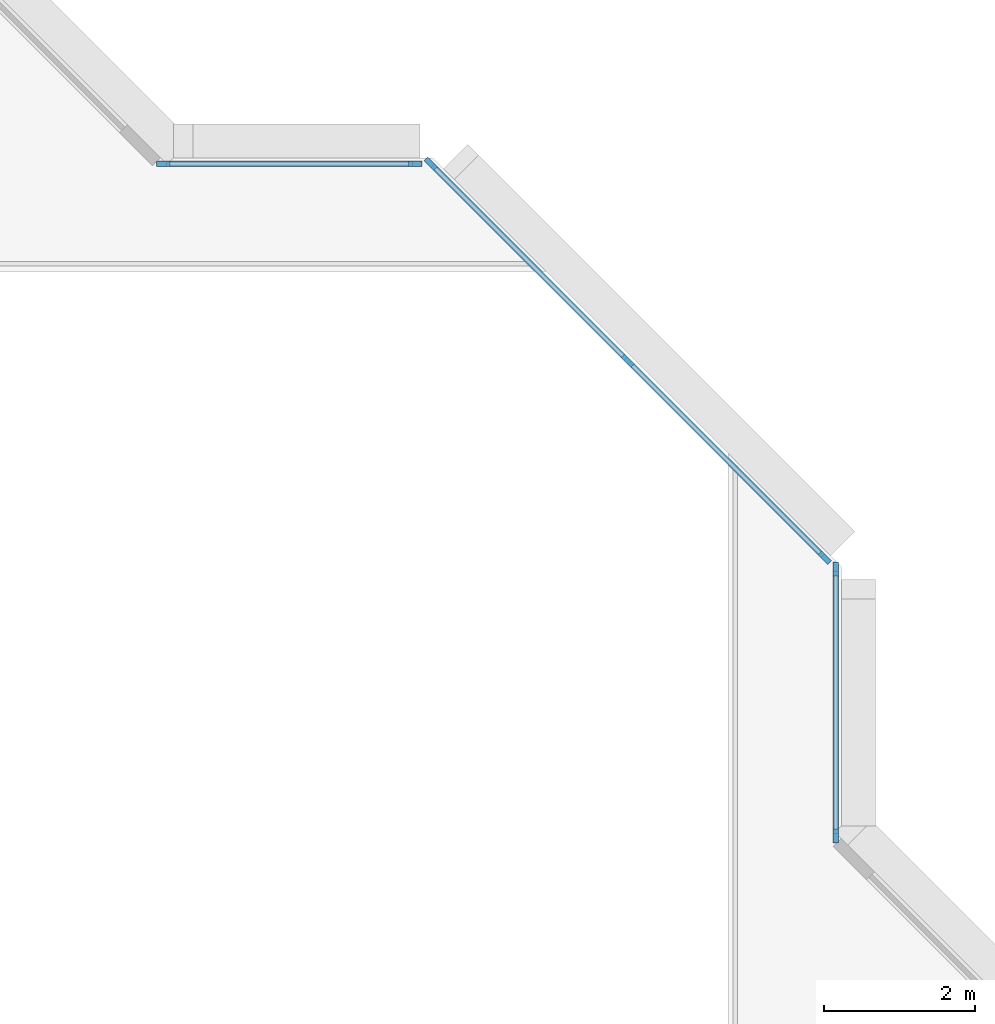
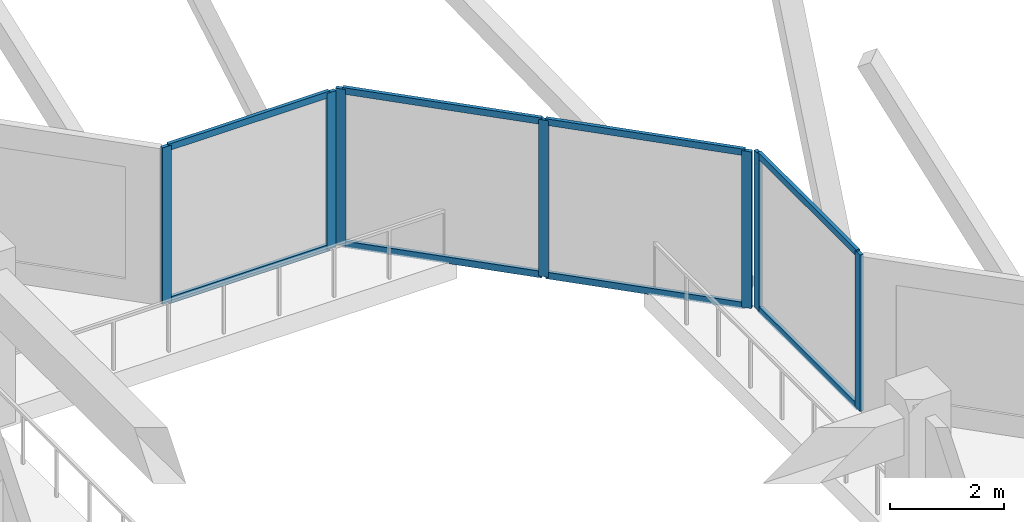
# One storey, part 2 of 15: 15 members, 3 elements without a shape of their own.
"""IFC4 building model written with IfcOpenShell, lengths in metres."""

from ifc_helpers import new_model, si_unit, direction, frame, origin, origin_2d, place, context, subcontext, project, spatial, rectangle, extrude, material, layer, layer_set, material_profile, profile_set, type_object, element, aggregate, save


model = new_model("IFC4")

# Units and contexts
model_context = context("Model", 3, precision=1e-05, world=origin(), true_north=direction((0.0, 1.0)))
body_context = subcontext(model_context, "Body", "Model", "MODEL_VIEW")
ifc_project = project(units=[si_unit("LENGTHUNIT", "METRE"), si_unit("AREAUNIT", "SQUARE_METRE"), si_unit("VOLUMEUNIT", "CUBIC_METRE"), si_unit("PLANEANGLEUNIT", "RADIAN"), si_unit("MASSUNIT", "GRAM", prefix="KILO")], contexts=[model_context])

# Site, building, storey
site_placement = place(None, origin())
site = spatial("IfcSite", under=ifc_project, at=site_placement, CompositionType="ELEMENT")
building_placement = place(site_placement, origin())
building = spatial("IfcBuilding", under=site, at=building_placement, Name="Chenar Terraces", CompositionType="ELEMENT")
storey_placement = place(building_placement, frame((0.0, 0.0, 211.64990234375)))
storey = spatial("IfcBuildingStorey", under=building, at=storey_placement, Name="L49", CompositionType="ELEMENT", Elevation=211.64990234375)

# Curtain wall, members
ifc_material_1 = material(Name="Aluminium framed glazing", Category="aluminium")
ifc_layer = layer(ifc_material_1, 0.14990234375)
ifc_layer_set = layer_set([ifc_layer], Name="Aluminium framed glazing")
curtain_wall_type = type_object("IfcCurtainWallType", Name="Atrium mid-zone curtain wall", PredefinedType="NOTDEFINED", material=ifc_layer_set)
placement = place(storey_placement, origin())
curtain_wall_1 = element("IfcCurtainWall", 1, at=placement, inside=storey, type_object=curtain_wall_type, Name="Atrium mid-zone curtain wall", PredefinedType="NOTDEFINED")
ifc_material_2 = material(Name="Aluminium", Category="aluminium")
ifc_material_profile_1 = material_profile(ifc_material_2, rectangle(XDim=0.070068359375, YDim=0.179931640625, at=origin_2d()), Name="Atrium mid-zone glazing mullion 70 x 180")
ifc_profile_set_1 = profile_set([ifc_material_profile_1], Name="Aluminium")
member_type_1 = type_object("IfcMemberType", Name="Atrium mid-zone glazing mullion 70 x 180", PredefinedType="MULLION", material=ifc_profile_set_1)
member_1_placement = place(storey_placement, frame((37.425048828125, 28.534912109375, 0.0), z_axis=(0.0, 0.0, 1.0), x_axis=(-1.0, 0.0, 0.0)))
member_1 = element("IfcMember", 2, at=member_1_placement, type_object=member_type_1, Name="CW7-1 mullion 1", PredefinedType="MULLION", context=body_context, shape_type="SweptSolid", body=[
    extrude(rectangle(XDim=0.070068359375, YDim=0.179931640625, at=origin_2d()), origin(), (0.0, 0.0, 1.0), 3.35009765625),
])
member_2_placement = place(storey_placement, frame((37.425048828125, 32.06494140625, 0.0), z_axis=(0.0, 0.0, 1.0), x_axis=(-1.0, 0.0, 0.0)))
member_2 = element("IfcMember", 3, at=member_2_placement, type_object=member_type_1, Name="CW7-1 mullion 2", PredefinedType="MULLION", context=body_context, shape_type="SweptSolid", body=[
    extrude(rectangle(XDim=0.070068359375, YDim=0.179931640625, at=origin_2d()), origin(), (0.0, 0.0, 1.0), 3.35009765625),
])

curtain_wall_2 = element("IfcCurtainWall", 4, at=placement, inside=storey, type_object=curtain_wall_type, Name="Atrium mid-zone curtain wall", PredefinedType="NOTDEFINED")
member_3_placement = place(storey_placement, frame((37.28076171875, 32.213134765625, 0.0), z_axis=(0.0, 0.0, 1.0), x_axis=(-0.707106781187, -0.707106781187, 0.0)))
member_3 = element("IfcMember", 5, at=member_3_placement, type_object=member_type_1, Name="CW7-2 mullion 1", PredefinedType="MULLION", context=body_context, shape_type="SweptSolid", body=[
    extrude(rectangle(XDim=0.070068359375, YDim=0.179931640625, at=origin_2d()), origin(), (0.0, 0.0, 1.0), 3.35009765625),
])
member_4_placement = place(storey_placement, frame((34.67626953125, 34.817626953125, 0.0), z_axis=(0.0, 0.0, 1.0), x_axis=(-0.707106781187, -0.707106781187, 0.0)))
member_4 = element("IfcMember", 6, at=member_4_placement, type_object=member_type_1, Name="CW7-2 mullion 2", PredefinedType="MULLION", context=body_context, shape_type="SweptSolid", body=[
    extrude(rectangle(XDim=0.070068359375, YDim=0.179931640625, at=origin_2d()), origin(), (0.0, 0.0, 1.0), 3.35009765625),
])
member_5_placement = place(storey_placement, frame((32.07177734375, 37.42236328125, 0.0), z_axis=(0.0, 0.0, 1.0), x_axis=(-0.707106781187, -0.707106781187, 0.0)))
member_5 = element("IfcMember", 7, at=member_5_placement, type_object=member_type_1, Name="CW7-2 mullion 3", PredefinedType="MULLION", context=body_context, shape_type="SweptSolid", body=[
    extrude(rectangle(XDim=0.070068359375, YDim=0.179931640625, at=origin_2d()), origin(), (0.0, 0.0, 1.0), 3.35009765625),
])

curtain_wall_3 = element("IfcCurtainWall", 8, at=placement, inside=storey, type_object=curtain_wall_type, Name="Atrium mid-zone curtain wall", PredefinedType="NOTDEFINED")
member_6_placement = place(storey_placement, frame((31.864990234375, 37.425048828125, 0.0), z_axis=(0.0, 0.0, 1.0), x_axis=(0.0, -1.0, 0.0)))
member_6 = element("IfcMember", 9, at=member_6_placement, type_object=member_type_1, Name="CW7-3 mullion 1", PredefinedType="MULLION", context=body_context, shape_type="SweptSolid", body=[
    extrude(rectangle(XDim=0.070068359375, YDim=0.179931640625, at=origin_2d()), origin(), (0.0, 0.0, 1.0), 3.35009765625),
])
member_7_placement = place(storey_placement, frame((28.534912109375, 37.425048828125, 0.0), z_axis=(0.0, 0.0, 1.0), x_axis=(0.0, -1.0, 0.0)))
member_7 = element("IfcMember", 10, at=member_7_placement, type_object=member_type_1, Name="CW7-3 mullion 2", PredefinedType="MULLION", context=body_context, shape_type="SweptSolid", body=[
    extrude(rectangle(XDim=0.070068359375, YDim=0.179931640625, at=origin_2d()), origin(), (0.0, 0.0, 1.0), 3.35009765625),
])

# Member
ifc_material_3 = material(Name="Aluminium", Category="aluminium")
ifc_material_profile_2 = material_profile(ifc_material_3, rectangle(XDim=0.070068359375, YDim=0.139892578125, at=origin_2d()), Name="Atrium mid-zone glazing transom 70 x 140")
ifc_profile_set_2 = profile_set([ifc_material_profile_2], Name="Aluminium")
member_type_2 = type_object("IfcMemberType", Name="Atrium mid-zone glazing transom 70 x 140", PredefinedType="USERDEFINED", material=ifc_profile_set_2)
member_8_placement = place(storey_placement, frame((37.425048828125, 28.570068359375, 0.03515625), z_axis=(0.0, 1.0, 0.0), x_axis=(-1.0, 0.0, 0.0)))
member_8 = element("IfcMember", 11, at=member_8_placement, type_object=member_type_2, Name="CW7-1 transom 1.1", ObjectType="TRANSOM", PredefinedType="USERDEFINED", context=body_context, shape_type="SweptSolid", body=[
    extrude(rectangle(XDim=0.070068359375, YDim=0.139892578125, at=origin_2d()), origin(), (0.0, 0.0, 1.0), 3.4599609375),
])

member_9_placement = place(storey_placement, frame((37.425048828125, 28.570068359375, 3.315185546875), z_axis=(0.0, 1.0, 0.0), x_axis=(-1.0, 0.0, 0.0)))
member_9 = element("IfcMember", 12, at=member_9_placement, type_object=member_type_2, Name="CW7-1 transom 1.2", ObjectType="TRANSOM", PredefinedType="USERDEFINED", context=body_context, shape_type="SweptSolid", body=[
    extrude(rectangle(XDim=0.070068359375, YDim=0.139892578125, at=origin_2d()), origin(), (0.0, 0.0, 1.0), 3.4599609375),
])

aggregate(curtain_wall_1, [member_1, member_2, member_8, member_9])

member_10_placement = place(storey_placement, frame((37.256103515625, 32.23779296875, 0.03515625), z_axis=(-0.707106781187, 0.707106781187, 0.0), x_axis=(-0.707106781187, -0.707106781187, 0.0)))
member_10 = element("IfcMember", 13, at=member_10_placement, type_object=member_type_2, Name="CW7-2 transom 1.1", ObjectType="TRANSOM", PredefinedType="USERDEFINED", context=body_context, shape_type="SweptSolid", body=[
    extrude(rectangle(XDim=0.070068359375, YDim=0.139892578125, at=origin_2d()), origin(), (0.0, 0.0, 1.0), 3.613525390625),
])

member_11_placement = place(storey_placement, frame((37.256103515625, 32.23779296875, 3.315185546875), z_axis=(-0.707106781187, 0.707106781187, 0.0), x_axis=(-0.707106781187, -0.707106781187, 0.0)))
member_11 = element("IfcMember", 14, at=member_11_placement, type_object=member_type_2, Name="CW7-2 transom 1.2", ObjectType="TRANSOM", PredefinedType="USERDEFINED", context=body_context, shape_type="SweptSolid", body=[
    extrude(rectangle(XDim=0.070068359375, YDim=0.139892578125, at=origin_2d()), origin(), (0.0, 0.0, 1.0), 3.613525390625),
])

member_12_placement = place(storey_placement, frame((34.651611328125, 34.842529296875, 0.03515625), z_axis=(-0.707140563131, 0.707072997628, 0.0), x_axis=(-0.707072997628, -0.707140563131, 0.0)))
member_12 = element("IfcMember", 15, at=member_12_placement, type_object=member_type_2, Name="CW7-2 transom 2.1", ObjectType="TRANSOM", PredefinedType="USERDEFINED", context=body_context, shape_type="SweptSolid", body=[
    extrude(rectangle(XDim=0.070068359375, YDim=0.139892578125, at=origin_2d()), origin(), (0.0, 0.0, 1.0), 3.61328125),
])

member_13_placement = place(storey_placement, frame((34.651611328125, 34.842529296875, 3.315185546875), z_axis=(-0.707140563131, 0.707072997628, 0.0), x_axis=(-0.707072997628, -0.707140563131, 0.0)))
member_13 = element("IfcMember", 16, at=member_13_placement, type_object=member_type_2, Name="CW7-2 transom 2.2", ObjectType="TRANSOM", PredefinedType="USERDEFINED", context=body_context, shape_type="SweptSolid", body=[
    extrude(rectangle(XDim=0.070068359375, YDim=0.139892578125, at=origin_2d()), origin(), (0.0, 0.0, 1.0), 3.61328125),
])

aggregate(curtain_wall_2, [member_3, member_4, member_5, member_10, member_11, member_12, member_13])

member_14_placement = place(storey_placement, frame((31.830078125, 37.425048828125, 0.03515625), z_axis=(-1.0, 0.0, 0.0), x_axis=(0.0, -1.0, 0.0)))
member_14 = element("IfcMember", 17, at=member_14_placement, type_object=member_type_2, Name="CW7-3 transom 1.1", ObjectType="TRANSOM", PredefinedType="USERDEFINED", context=body_context, shape_type="SweptSolid", body=[
    extrude(rectangle(XDim=0.070068359375, YDim=0.139892578125, at=origin_2d()), origin(), (0.0, 0.0, 1.0), 3.260009765625),
])

member_15_placement = place(storey_placement, frame((31.830078125, 37.425048828125, 3.315185546875), z_axis=(-1.0, 0.0, 0.0), x_axis=(0.0, -1.0, 0.0)))
member_15 = element("IfcMember", 18, at=member_15_placement, type_object=member_type_2, Name="CW7-3 transom 1.2", ObjectType="TRANSOM", PredefinedType="USERDEFINED", context=body_context, shape_type="SweptSolid", body=[
    extrude(rectangle(XDim=0.070068359375, YDim=0.139892578125, at=origin_2d()), origin(), (0.0, 0.0, 1.0), 3.260009765625),
])

aggregate(curtain_wall_3, [member_6, member_7, member_14, member_15])

save(model, "model.ifc")
